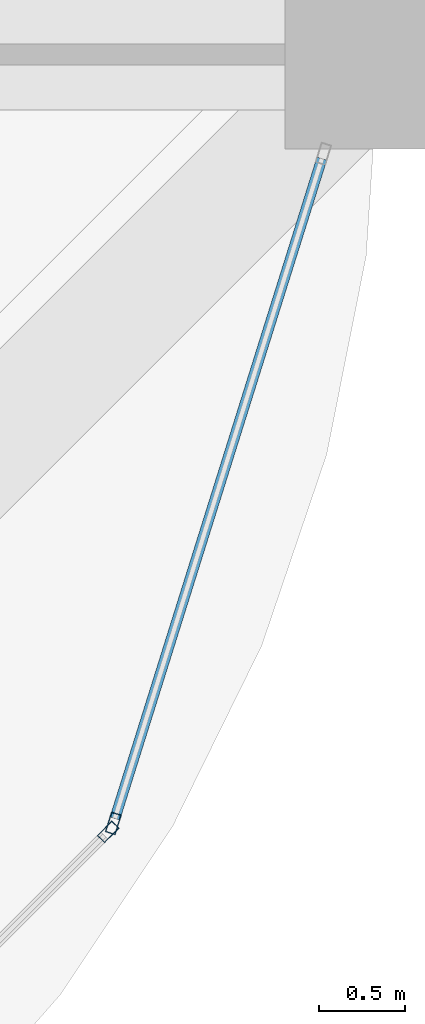
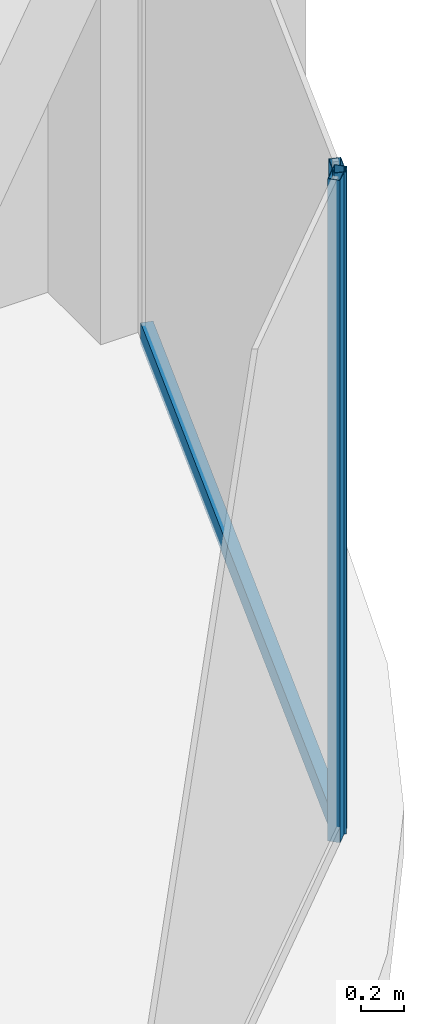
# One storey, part 20 of 44: 3 members, 2 elements without a shape of their own.
"""IFC4 building model written with IfcOpenShell, lengths in metres."""

from ifc_helpers import new_model, si_unit, direction, frame, origin, origin_2d, place, context, subcontext, project, spatial, hollow_rectangle, extrude, material, material_profile, profile_set, type_object, element, aggregate, save


model = new_model("IFC4")

# Units and contexts
model_context = context("Model", 3, precision=1e-05, world=origin(), true_north=direction((0.0, 1.0)))
body_context = subcontext(model_context, "Body", "Model", "MODEL_VIEW")
ifc_project = project(units=[si_unit("LENGTHUNIT", "METRE"), si_unit("AREAUNIT", "SQUARE_METRE"), si_unit("VOLUMEUNIT", "CUBIC_METRE"), si_unit("PLANEANGLEUNIT", "RADIAN"), si_unit("MASSUNIT", "GRAM", prefix="KILO")], contexts=[model_context])

# Site, building, storey
site_placement = place(None, origin())
site = spatial("IfcSite", under=ifc_project, at=site_placement, CompositionType="ELEMENT")
building_placement = place(site_placement, origin())
building = spatial("IfcBuilding", under=site, at=building_placement, Name="Zorevar Civic Tower", CompositionType="ELEMENT")
storey_placement = place(building_placement, frame((0.0, 0.0, 295.39990234375)))
storey = spatial("IfcBuildingStorey", under=building, at=storey_placement, Name="L72", CompositionType="ELEMENT", Elevation=295.39990234375)

# Curtain wall, member
ifc_material_1 = material(Name="Dark grey solar-control glass in black aluminium frame", Category="aluminium")
curtain_wall_type = type_object("IfcCurtainWallType", Name="Curtain wall CW5 top zone", PredefinedType="NOTDEFINED", material=ifc_material_1)
curtain_wall_1_placement = place(storey_placement, origin())
curtain_wall_1 = element("IfcCurtainWall", 1, at=curtain_wall_1_placement, inside=storey, type_object=curtain_wall_type, Name="CW5 L72", PredefinedType="NOTDEFINED")
ifc_material_2 = material(Name="Aluminium, black anodised", Category="aluminium")
ifc_material_profile_1 = material_profile(ifc_material_2, hollow_rectangle(XDim=0.06005859375, YDim=0.1201171875, WallThickness=0.0029296875, at=origin_2d()), Name="AL 120x60x3")
ifc_profile_set_1 = profile_set([ifc_material_profile_1], Name="Aluminium, black anodised")
member_type_1 = type_object("IfcMemberType", Name="CW5 mullion AL 120x60x3", PredefinedType="MULLION", material=ifc_profile_set_1)
member_1_placement = place(storey_placement, frame((52.419677734375, 4.470947265625, 0.0), z_axis=(0.0, 0.0, 1.0), x_axis=(-0.707106781187, 0.707106781187, 0.0)))
member_1 = element("IfcMember", 2, at=member_1_placement, type_object=member_type_1, Name="CW5 mullion 2", PredefinedType="MULLION", context=body_context, shape_type="SweptSolid", body=[
    extrude(hollow_rectangle(XDim=0.06005859375, YDim=0.1201171875, WallThickness=0.0029296875, at=origin_2d()), origin(), (0.0, 0.0, 1.0), 3.75),
])
aggregate(curtain_wall_1, [member_1])

# Curtain wall, members
curtain_wall_2_placement = place(storey_placement, origin())
curtain_wall_2 = element("IfcCurtainWall", 3, at=curtain_wall_2_placement, inside=storey, type_object=curtain_wall_type, Name="CW5 L72", PredefinedType="NOTDEFINED")
member_2_placement = place(storey_placement, frame((52.449951171875, 4.520751953125, 0.0), z_axis=(0.0, 0.0, 1.0), x_axis=(-0.954153437674, 0.299317920238, 0.0)))
member_2 = element("IfcMember", 4, at=member_2_placement, type_object=member_type_1, Name="CW5 mullion 1", PredefinedType="MULLION", context=body_context, shape_type="SweptSolid", body=[
    extrude(hollow_rectangle(XDim=0.06005859375, YDim=0.1201171875, WallThickness=0.0029296875, at=origin_2d()), origin(), (0.0, 0.0, 1.0), 3.75),
])
ifc_material_3 = material(Name="Aluminium, black anodised", Category="aluminium")
ifc_material_profile_2 = material_profile(ifc_material_3, hollow_rectangle(XDim=0.06005859375, YDim=0.1201171875, WallThickness=0.0029296875, at=origin_2d()), Name="AL 120x60x3")
ifc_profile_set_2 = profile_set([ifc_material_profile_2], Name="Aluminium, black anodised")
member_type_2 = type_object("IfcMemberType", Name="CW5 transom AL 120x60x3", PredefinedType="USERDEFINED", material=ifc_profile_set_2)
member_3_placement = place(storey_placement, frame((52.458984375, 4.54931640625, 0.030029296875), z_axis=(0.299285978047, 0.954163457351, 0.0), x_axis=(-0.954163457351, 0.299285978047, 0.0)))
member_3 = element("IfcMember", 5, at=member_3_placement, type_object=member_type_2, Name="CW5 sill transom", ObjectType="TRANSOM", PredefinedType="USERDEFINED", context=body_context, shape_type="SweptSolid", body=[
    extrude(hollow_rectangle(XDim=0.06005859375, YDim=0.1201171875, WallThickness=0.0029296875, at=origin_2d()), origin(), (0.0, 0.0, 1.0), 4.028076171875),
])
aggregate(curtain_wall_2, [member_2, member_3])

save(model, "model.ifc")
